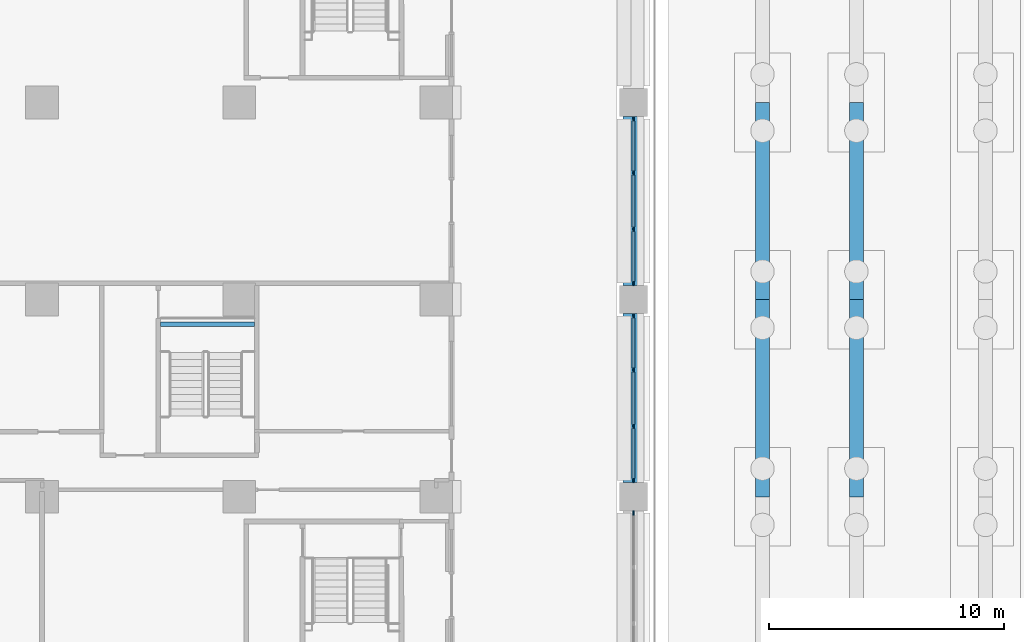
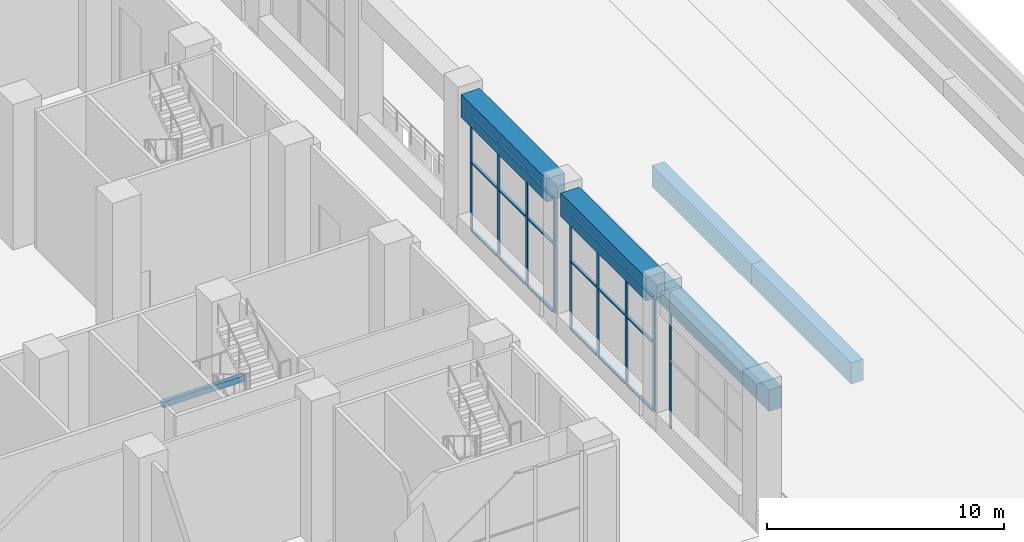
# One storey, part 9 of 53: 27 members, 7 beams, 3 elements without a shape of their own.
"""IFC4 building model written with IfcOpenShell, lengths in metres."""

from ifc_helpers import new_model, si_unit, direction, frame, origin, origin_2d, place, context, subcontext, project, spatial, rectangle, extrude, material, material_profile, profile_set, type_object, element, aggregate, save


model = new_model("IFC4")

# Units and contexts
model_context = context("Model", 3, precision=1e-05, world=origin(), true_north=direction((0.0, 1.0)))
body_context = subcontext(model_context, "Body", "Model", "MODEL_VIEW")
ifc_project = project(units=[si_unit("LENGTHUNIT", "METRE"), si_unit("AREAUNIT", "SQUARE_METRE"), si_unit("VOLUMEUNIT", "CUBIC_METRE"), si_unit("PLANEANGLEUNIT", "RADIAN"), si_unit("MASSUNIT", "GRAM", prefix="KILO")], contexts=[model_context])

# Site, building, storey
site_placement = place(None, origin())
site = spatial("IfcSite", under=ifc_project, at=site_placement, CompositionType="ELEMENT")
building_placement = place(site_placement, origin())
building = spatial("IfcBuilding", under=site, at=building_placement, Name="Vermilion Ogive Tower", CompositionType="ELEMENT")
storey_placement = place(building_placement, origin())
storey = spatial("IfcBuildingStorey", under=building, at=storey_placement, Name="L00", CompositionType="ELEMENT", Elevation=0.0)

# Beams
ifc_material_1 = material(Name="Concrete B45", Category="concrete")
ifc_material_profile_1 = material_profile(ifc_material_1, rectangle(XDim=0.89990234375, YDim=1.199951171875, at=origin_2d()), Name="RC 900x1200")
ifc_profile_set_1 = profile_set([ifc_material_profile_1], Name="Concrete B45")
beam_type_1 = type_object("IfcBeamType", Name="Arcade edge beam AB1 900x1200", PredefinedType="BEAM", material=ifc_profile_set_1)
for number, where, z_axis, x_axis, name in (
    (1, (58.800048828125, -20.39990234375, 6.5), (0.0, 1.0, 0.0), (-1.0, 0.0, 0.0), "Arcade edge beam L00 02"),
    (2, (58.800048828125, -12.0, 6.5), (0.0, 1.0, 0.0), (-1.0, 0.0, 0.0), "Arcade edge beam L00 03"),
):
    element("IfcBeam", number, at=place(storey_placement, frame(where, z_axis=z_axis, x_axis=x_axis)), inside=storey, type_object=beam_type_1, Name=name, PredefinedType="BEAM", context=body_context, shape_type="SweptSolid", body=[
        extrude(rectangle(XDim=0.89990234375, YDim=1.199951171875, at=origin_2d()), origin(), (0.0, 0.0, 1.0), 7.199951171875),
    ])

# Curtain wall, member
ifc_material_2 = material(Name="Clear double glazing in aluminium frame", Category="aluminium")
curtain_wall_type = type_object("IfcCurtainWallType", Name="Curtain wall CW2", PredefinedType="NOTDEFINED", material=ifc_material_2)
curtain_wall_1_placement = place(storey_placement, origin())
curtain_wall_1 = element("IfcCurtainWall", 3, at=curtain_wall_1_placement, inside=storey, type_object=curtain_wall_type, Name="CW2 arcade glazing L00 1", PredefinedType="NOTDEFINED")
ifc_material_3 = material(Name="Aluminium mullion", Category="aluminium")
ifc_material_profile_2 = material_profile(ifc_material_3, rectangle(XDim=0.06005859375, YDim=0.179931640625, at=origin_2d()), Name="AL 60x180")
ifc_profile_set_2 = profile_set([ifc_material_profile_2], Name="Aluminium mullion")
member_type_1 = type_object("IfcMemberType", Name="CW2 mullion 60x180", PredefinedType="MULLION", material=ifc_profile_set_2)
member_1_placement = place(storey_placement, frame((58.800048828125, -21.68994140625, 0.0), z_axis=(0.0, 0.0, 1.0), x_axis=(-1.0, 0.0, 0.0)))
member_1 = element("IfcMember", 4, at=member_1_placement, type_object=member_type_1, Name="CW2-001 mullion 4", PredefinedType="MULLION", context=body_context, shape_type="SweptSolid", body=[
    extrude(rectangle(XDim=0.06005859375, YDim=0.179931640625, at=origin_2d()), origin(), (0.0, 0.0, 1.0), 5.89990234375),
])
aggregate(curtain_wall_1, [member_1])

# Curtain wall, members
curtain_wall_2_placement = place(storey_placement, origin())
curtain_wall_2 = element("IfcCurtainWall", 5, at=curtain_wall_2_placement, inside=storey, type_object=curtain_wall_type, Name="CW2 arcade glazing L00 2", PredefinedType="NOTDEFINED")
member_2_placement = place(storey_placement, frame((58.800048828125, -20.31005859375, 0.0), z_axis=(0.0, 0.0, 1.0), x_axis=(-1.0, 0.0, 0.0)))
member_2 = element("IfcMember", 6, at=member_2_placement, type_object=member_type_1, Name="CW2-002 mullion 1", PredefinedType="MULLION", context=body_context, shape_type="SweptSolid", body=[
    extrude(rectangle(XDim=0.06005859375, YDim=0.179931640625, at=origin_2d()), origin(), (0.0, 0.0, 1.0), 5.89990234375),
])
member_3_placement = place(storey_placement, frame((58.800048828125, -18.0, 0.0), z_axis=(0.0, 0.0, 1.0), x_axis=(-1.0, 0.0, 0.0)))
member_3 = element("IfcMember", 7, at=member_3_placement, type_object=member_type_1, Name="CW2-002 mullion 2", PredefinedType="MULLION", context=body_context, shape_type="SweptSolid", body=[
    extrude(rectangle(XDim=0.06005859375, YDim=0.179931640625, at=origin_2d()), origin(), (0.0, 0.0, 1.0), 5.89990234375),
])
member_4_placement = place(storey_placement, frame((58.800048828125, -15.60009765625, 0.0), z_axis=(0.0, 0.0, 1.0), x_axis=(-1.0, 0.0, 0.0)))
member_4 = element("IfcMember", 8, at=member_4_placement, type_object=member_type_1, Name="CW2-002 mullion 3", PredefinedType="MULLION", context=body_context, shape_type="SweptSolid", body=[
    extrude(rectangle(XDim=0.06005859375, YDim=0.179931640625, at=origin_2d()), origin(), (0.0, 0.0, 1.0), 5.89990234375),
])
member_5_placement = place(storey_placement, frame((58.800048828125, -13.2900390625, 0.0), z_axis=(0.0, 0.0, 1.0), x_axis=(-1.0, 0.0, 0.0)))
member_5 = element("IfcMember", 9, at=member_5_placement, type_object=member_type_1, Name="CW2-002 mullion 4", PredefinedType="MULLION", context=body_context, shape_type="SweptSolid", body=[
    extrude(rectangle(XDim=0.06005859375, YDim=0.179931640625, at=origin_2d()), origin(), (0.0, 0.0, 1.0), 5.89990234375),
])

curtain_wall_3_placement = place(storey_placement, origin())
curtain_wall_3 = element("IfcCurtainWall", 10, at=curtain_wall_3_placement, inside=storey, type_object=curtain_wall_type, Name="CW2 arcade glazing L00 3", PredefinedType="NOTDEFINED")
member_6_placement = place(storey_placement, frame((58.800048828125, -11.909912109375, 0.0), z_axis=(0.0, 0.0, 1.0), x_axis=(-1.0, 0.0, 0.0)))
member_6 = element("IfcMember", 11, at=member_6_placement, type_object=member_type_1, Name="CW2-003 mullion 1", PredefinedType="MULLION", context=body_context, shape_type="SweptSolid", body=[
    extrude(rectangle(XDim=0.06005859375, YDim=0.179931640625, at=origin_2d()), origin(), (0.0, 0.0, 1.0), 5.89990234375),
])
member_7_placement = place(storey_placement, frame((58.800048828125, -9.60009765625, 0.0), z_axis=(0.0, 0.0, 1.0), x_axis=(-1.0, 0.0, 0.0)))
member_7 = element("IfcMember", 12, at=member_7_placement, type_object=member_type_1, Name="CW2-003 mullion 2", PredefinedType="MULLION", context=body_context, shape_type="SweptSolid", body=[
    extrude(rectangle(XDim=0.06005859375, YDim=0.179931640625, at=origin_2d()), origin(), (0.0, 0.0, 1.0), 5.89990234375),
])
member_8_placement = place(storey_placement, frame((58.800048828125, -7.199951171875, 0.0), z_axis=(0.0, 0.0, 1.0), x_axis=(-1.0, 0.0, 0.0)))
member_8 = element("IfcMember", 13, at=member_8_placement, type_object=member_type_1, Name="CW2-003 mullion 3", PredefinedType="MULLION", context=body_context, shape_type="SweptSolid", body=[
    extrude(rectangle(XDim=0.06005859375, YDim=0.179931640625, at=origin_2d()), origin(), (0.0, 0.0, 1.0), 5.89990234375),
])
member_9_placement = place(storey_placement, frame((58.800048828125, -4.889892578125, 0.0), z_axis=(0.0, 0.0, 1.0), x_axis=(-1.0, 0.0, 0.0)))
member_9 = element("IfcMember", 14, at=member_9_placement, type_object=member_type_1, Name="CW2-003 mullion 4", PredefinedType="MULLION", context=body_context, shape_type="SweptSolid", body=[
    extrude(rectangle(XDim=0.06005859375, YDim=0.179931640625, at=origin_2d()), origin(), (0.0, 0.0, 1.0), 5.89990234375),
])

# Member
ifc_material_4 = material(Name="Aluminium transom", Category="aluminium")
ifc_material_profile_3 = material_profile(ifc_material_4, rectangle(XDim=0.139892578125, YDim=0.06005859375, at=origin_2d()), Name="AL 60x140")
ifc_profile_set_3 = profile_set([ifc_material_profile_3], Name="Aluminium transom")
member_type_2 = type_object("IfcMemberType", Name="CW2 transom 60x140", PredefinedType="USERDEFINED", material=ifc_profile_set_3)
member_10_placement = place(storey_placement, frame((58.800048828125, -20.219970703125, 0.030029296875), z_axis=(0.0, 1.0, 0.0), x_axis=(-1.0, 0.0, 0.0)))
member_10 = element("IfcMember", 15, at=member_10_placement, type_object=member_type_2, Name="CW2-002 transom 1.1", ObjectType="TRANSOM", PredefinedType="USERDEFINED", context=body_context, shape_type="SweptSolid", body=[
    extrude(rectangle(XDim=0.139892578125, YDim=0.06005859375, at=origin_2d()), origin(), (0.0, 0.0, 1.0), 2.1298828125),
])

member_11_placement = place(storey_placement, frame((58.800048828125, -20.219970703125, 3.5400390625), z_axis=(0.0, 1.0, 0.0), x_axis=(-1.0, 0.0, 0.0)))
member_11 = element("IfcMember", 16, at=member_11_placement, type_object=member_type_2, Name="CW2-002 transom 1.2", ObjectType="TRANSOM", PredefinedType="USERDEFINED", context=body_context, shape_type="SweptSolid", body=[
    extrude(rectangle(XDim=0.139892578125, YDim=0.06005859375, at=origin_2d()), origin(), (0.0, 0.0, 1.0), 2.1298828125),
])

member_12_placement = place(storey_placement, frame((58.800048828125, -20.219970703125, 5.8701171875), z_axis=(0.0, 1.0, 0.0), x_axis=(-1.0, 0.0, 0.0)))
member_12 = element("IfcMember", 17, at=member_12_placement, type_object=member_type_2, Name="CW2-002 transom 1.3", ObjectType="TRANSOM", PredefinedType="USERDEFINED", context=body_context, shape_type="SweptSolid", body=[
    extrude(rectangle(XDim=0.139892578125, YDim=0.06005859375, at=origin_2d()), origin(), (0.0, 0.0, 1.0), 2.1298828125),
])

member_13_placement = place(storey_placement, frame((58.800048828125, -17.909912109375, 0.030029296875), z_axis=(0.0, 1.0, 0.0), x_axis=(-1.0, 0.0, 0.0)))
member_13 = element("IfcMember", 18, at=member_13_placement, type_object=member_type_2, Name="CW2-002 transom 2.1", ObjectType="TRANSOM", PredefinedType="USERDEFINED", context=body_context, shape_type="SweptSolid", body=[
    extrude(rectangle(XDim=0.139892578125, YDim=0.06005859375, at=origin_2d()), origin(), (0.0, 0.0, 1.0), 2.219970703125),
])

member_14_placement = place(storey_placement, frame((58.800048828125, -17.909912109375, 3.5400390625), z_axis=(0.0, 1.0, 0.0), x_axis=(-1.0, 0.0, 0.0)))
member_14 = element("IfcMember", 19, at=member_14_placement, type_object=member_type_2, Name="CW2-002 transom 2.2", ObjectType="TRANSOM", PredefinedType="USERDEFINED", context=body_context, shape_type="SweptSolid", body=[
    extrude(rectangle(XDim=0.139892578125, YDim=0.06005859375, at=origin_2d()), origin(), (0.0, 0.0, 1.0), 2.219970703125),
])

member_15_placement = place(storey_placement, frame((58.800048828125, -17.909912109375, 5.8701171875), z_axis=(0.0, 1.0, 0.0), x_axis=(-1.0, 0.0, 0.0)))
member_15 = element("IfcMember", 20, at=member_15_placement, type_object=member_type_2, Name="CW2-002 transom 2.3", ObjectType="TRANSOM", PredefinedType="USERDEFINED", context=body_context, shape_type="SweptSolid", body=[
    extrude(rectangle(XDim=0.139892578125, YDim=0.06005859375, at=origin_2d()), origin(), (0.0, 0.0, 1.0), 2.219970703125),
])

member_16_placement = place(storey_placement, frame((58.800048828125, -15.510009765625, 0.030029296875), z_axis=(0.0, 1.0, 0.0), x_axis=(-1.0, 0.0, 0.0)))
member_16 = element("IfcMember", 21, at=member_16_placement, type_object=member_type_2, Name="CW2-002 transom 3.1", ObjectType="TRANSOM", PredefinedType="USERDEFINED", context=body_context, shape_type="SweptSolid", body=[
    extrude(rectangle(XDim=0.139892578125, YDim=0.06005859375, at=origin_2d()), origin(), (0.0, 0.0, 1.0), 2.130126953125),
])

member_17_placement = place(storey_placement, frame((58.800048828125, -15.510009765625, 3.5400390625), z_axis=(0.0, 1.0, 0.0), x_axis=(-1.0, 0.0, 0.0)))
member_17 = element("IfcMember", 22, at=member_17_placement, type_object=member_type_2, Name="CW2-002 transom 3.2", ObjectType="TRANSOM", PredefinedType="USERDEFINED", context=body_context, shape_type="SweptSolid", body=[
    extrude(rectangle(XDim=0.139892578125, YDim=0.06005859375, at=origin_2d()), origin(), (0.0, 0.0, 1.0), 2.130126953125),
])

member_18_placement = place(storey_placement, frame((58.800048828125, -15.510009765625, 5.8701171875), z_axis=(0.0, 1.0, 0.0), x_axis=(-1.0, 0.0, 0.0)))
member_18 = element("IfcMember", 23, at=member_18_placement, type_object=member_type_2, Name="CW2-002 transom 3.3", ObjectType="TRANSOM", PredefinedType="USERDEFINED", context=body_context, shape_type="SweptSolid", body=[
    extrude(rectangle(XDim=0.139892578125, YDim=0.06005859375, at=origin_2d()), origin(), (0.0, 0.0, 1.0), 2.130126953125),
])

aggregate(curtain_wall_2, [member_2, member_3, member_4, member_5, member_10, member_11, member_12, member_13, member_14, member_15, member_16, member_17, member_18])

member_19_placement = place(storey_placement, frame((58.800048828125, -11.820068359375, 0.030029296875), z_axis=(0.0, 1.0, 0.0), x_axis=(-1.0, 0.0, 0.0)))
member_19 = element("IfcMember", 24, at=member_19_placement, type_object=member_type_2, Name="CW2-003 transom 1.1", ObjectType="TRANSOM", PredefinedType="USERDEFINED", context=body_context, shape_type="SweptSolid", body=[
    extrude(rectangle(XDim=0.139892578125, YDim=0.06005859375, at=origin_2d()), origin(), (0.0, 0.0, 1.0), 2.130126953125),
])

member_20_placement = place(storey_placement, frame((58.800048828125, -11.820068359375, 3.5400390625), z_axis=(0.0, 1.0, 0.0), x_axis=(-1.0, 0.0, 0.0)))
member_20 = element("IfcMember", 25, at=member_20_placement, type_object=member_type_2, Name="CW2-003 transom 1.2", ObjectType="TRANSOM", PredefinedType="USERDEFINED", context=body_context, shape_type="SweptSolid", body=[
    extrude(rectangle(XDim=0.139892578125, YDim=0.06005859375, at=origin_2d()), origin(), (0.0, 0.0, 1.0), 2.130126953125),
])

member_21_placement = place(storey_placement, frame((58.800048828125, -11.820068359375, 5.8701171875), z_axis=(0.0, 1.0, 0.0), x_axis=(-1.0, 0.0, 0.0)))
member_21 = element("IfcMember", 26, at=member_21_placement, type_object=member_type_2, Name="CW2-003 transom 1.3", ObjectType="TRANSOM", PredefinedType="USERDEFINED", context=body_context, shape_type="SweptSolid", body=[
    extrude(rectangle(XDim=0.139892578125, YDim=0.06005859375, at=origin_2d()), origin(), (0.0, 0.0, 1.0), 2.130126953125),
])

member_22_placement = place(storey_placement, frame((58.800048828125, -9.510009765625, 0.030029296875), z_axis=(0.0, 1.0, 0.0), x_axis=(-1.0, 0.0, 0.0)))
member_22 = element("IfcMember", 27, at=member_22_placement, type_object=member_type_2, Name="CW2-003 transom 2.1", ObjectType="TRANSOM", PredefinedType="USERDEFINED", context=body_context, shape_type="SweptSolid", body=[
    extrude(rectangle(XDim=0.139892578125, YDim=0.06005859375, at=origin_2d()), origin(), (0.0, 0.0, 1.0), 2.219970703125),
])

member_23_placement = place(storey_placement, frame((58.800048828125, -9.510009765625, 3.5400390625), z_axis=(0.0, 1.0, 0.0), x_axis=(-1.0, 0.0, 0.0)))
member_23 = element("IfcMember", 28, at=member_23_placement, type_object=member_type_2, Name="CW2-003 transom 2.2", ObjectType="TRANSOM", PredefinedType="USERDEFINED", context=body_context, shape_type="SweptSolid", body=[
    extrude(rectangle(XDim=0.139892578125, YDim=0.06005859375, at=origin_2d()), origin(), (0.0, 0.0, 1.0), 2.219970703125),
])

member_24_placement = place(storey_placement, frame((58.800048828125, -9.510009765625, 5.8701171875), z_axis=(0.0, 1.0, 0.0), x_axis=(-1.0, 0.0, 0.0)))
member_24 = element("IfcMember", 29, at=member_24_placement, type_object=member_type_2, Name="CW2-003 transom 2.3", ObjectType="TRANSOM", PredefinedType="USERDEFINED", context=body_context, shape_type="SweptSolid", body=[
    extrude(rectangle(XDim=0.139892578125, YDim=0.06005859375, at=origin_2d()), origin(), (0.0, 0.0, 1.0), 2.219970703125),
])

member_25_placement = place(storey_placement, frame((58.800048828125, -7.110107421875, 0.030029296875), z_axis=(0.0, 1.0, 0.0), x_axis=(-1.0, 0.0, 0.0)))
member_25 = element("IfcMember", 30, at=member_25_placement, type_object=member_type_2, Name="CW2-003 transom 3.1", ObjectType="TRANSOM", PredefinedType="USERDEFINED", context=body_context, shape_type="SweptSolid", body=[
    extrude(rectangle(XDim=0.139892578125, YDim=0.06005859375, at=origin_2d()), origin(), (0.0, 0.0, 1.0), 2.130126953125),
])

member_26_placement = place(storey_placement, frame((58.800048828125, -7.110107421875, 3.5400390625), z_axis=(0.0, 1.0, 0.0), x_axis=(-1.0, 0.0, 0.0)))
member_26 = element("IfcMember", 31, at=member_26_placement, type_object=member_type_2, Name="CW2-003 transom 3.2", ObjectType="TRANSOM", PredefinedType="USERDEFINED", context=body_context, shape_type="SweptSolid", body=[
    extrude(rectangle(XDim=0.139892578125, YDim=0.06005859375, at=origin_2d()), origin(), (0.0, 0.0, 1.0), 2.130126953125),
])

member_27_placement = place(storey_placement, frame((58.800048828125, -7.110107421875, 5.8701171875), z_axis=(0.0, 1.0, 0.0), x_axis=(-1.0, 0.0, 0.0)))
member_27 = element("IfcMember", 32, at=member_27_placement, type_object=member_type_2, Name="CW2-003 transom 3.3", ObjectType="TRANSOM", PredefinedType="USERDEFINED", context=body_context, shape_type="SweptSolid", body=[
    extrude(rectangle(XDim=0.139892578125, YDim=0.06005859375, at=origin_2d()), origin(), (0.0, 0.0, 1.0), 2.130126953125),
])

aggregate(curtain_wall_3, [member_6, member_7, member_8, member_9, member_19, member_20, member_21, member_22, member_23, member_24, member_25, member_26, member_27])

# Beams
ifc_material_5 = material(Name="Concrete B45", Category="concrete")
ifc_material_profile_4 = material_profile(ifc_material_5, rectangle(XDim=0.60009765625, YDim=1.10009765625, at=origin_2d()), Name="RC 600x1100")
ifc_profile_set_4 = profile_set([ifc_material_profile_4], Name="Concrete B45")
beam_type_2 = type_object("IfcBeamType", Name="Quay wharf beam QB1 600x1100", PredefinedType="BEAM", material=ifc_profile_set_4)
beam_1_placement = place(storey_placement, frame((64.300048828125, -21.0, -0.85009765625), z_axis=(0.0, 1.0, 0.0), x_axis=(-1.0, 0.0, 0.0)))
element("IfcBeam", 33, at=beam_1_placement, inside=storey, type_object=beam_type_2, Name="Quay wharf beam SITE-PROM-L0 3", PredefinedType="BEAM", context=body_context, shape_type="SweptSolid", body=[
    extrude(rectangle(XDim=0.60009765625, YDim=1.10009765625, at=origin_2d()), origin(), (0.0, 0.0, 1.0), 8.39990234375),
])
beam_2_placement = place(storey_placement, frame((64.300048828125, -12.60009765625, -0.85009765625), z_axis=(0.0, 1.0, 0.0), x_axis=(-1.0, 0.0, 0.0)))
element("IfcBeam", 34, at=beam_2_placement, inside=storey, type_object=beam_type_2, Name="Quay wharf beam SITE-PROM-L0 4", PredefinedType="BEAM", context=body_context, shape_type="SweptSolid", body=[
    extrude(rectangle(XDim=0.60009765625, YDim=1.10009765625, at=origin_2d()), origin(), (0.0, 0.0, 1.0), 8.400146484375),
])
beam_3_placement = place(storey_placement, frame((68.300048828125, -21.0, -0.85009765625), z_axis=(0.0, 1.0, 0.0), x_axis=(-1.0, 0.0, 0.0)))
element("IfcBeam", 35, at=beam_3_placement, inside=storey, type_object=beam_type_2, Name="Quay wharf beam SITE-PROM-L1 3", PredefinedType="BEAM", context=body_context, shape_type="SweptSolid", body=[
    extrude(rectangle(XDim=0.60009765625, YDim=1.10009765625, at=origin_2d()), origin(), (0.0, 0.0, 1.0), 8.39990234375),
])
beam_4_placement = place(storey_placement, frame((68.300048828125, -12.60009765625, -0.85009765625), z_axis=(0.0, 1.0, 0.0), x_axis=(-1.0, 0.0, 0.0)))
element("IfcBeam", 36, at=beam_4_placement, inside=storey, type_object=beam_type_2, Name="Quay wharf beam SITE-PROM-L1 4", PredefinedType="BEAM", context=body_context, shape_type="SweptSolid", body=[
    extrude(rectangle(XDim=0.60009765625, YDim=1.10009765625, at=origin_2d()), origin(), (0.0, 0.0, 1.0), 8.400146484375),
])
ifc_material_6 = material(Name="Concrete B45", Category="concrete")
ifc_material_profile_5 = material_profile(ifc_material_6, rectangle(XDim=0.199951171875, YDim=0.300048828125, at=origin_2d()), Name="RC 200x300")
ifc_profile_set_5 = profile_set([ifc_material_profile_5], Name="Concrete B45")
beam_type_3 = type_object("IfcBeamType", Name="Stair landing edge beam LB1 200x300", PredefinedType="BEAM", material=ifc_profile_set_5)
beam_5_placement = place(storey_placement, frame((38.650146484375, -13.64990234375, 3.39990234375), z_axis=(1.0, 0.0, 0.0), x_axis=(0.0, 1.0, 0.0)))
element("IfcBeam", 37, at=beam_5_placement, inside=storey, type_object=beam_type_3, Name="L00 stair landing edge beam", PredefinedType="BEAM", context=body_context, shape_type="SweptSolid", body=[
    extrude(rectangle(XDim=0.199951171875, YDim=0.300048828125, at=origin_2d()), origin(), (0.0, 0.0, 1.0), 3.999755859375),
])

save(model, "model.ifc")
